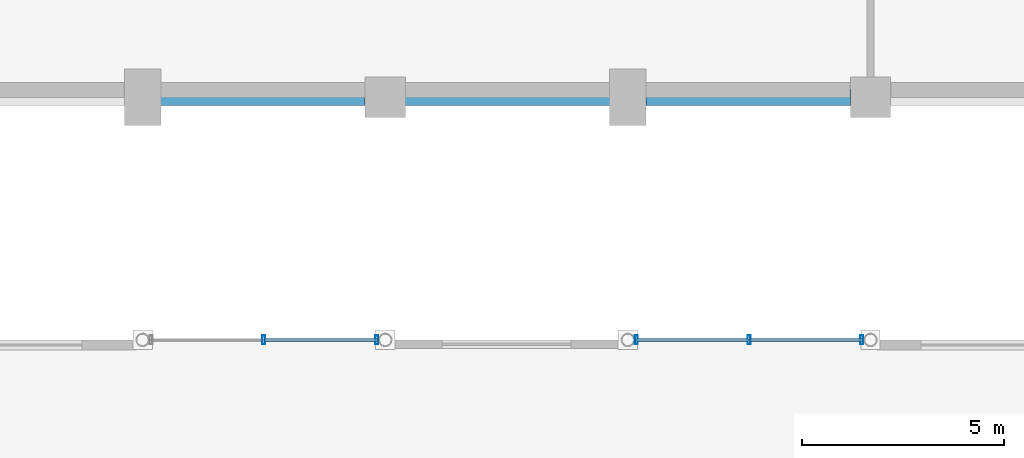
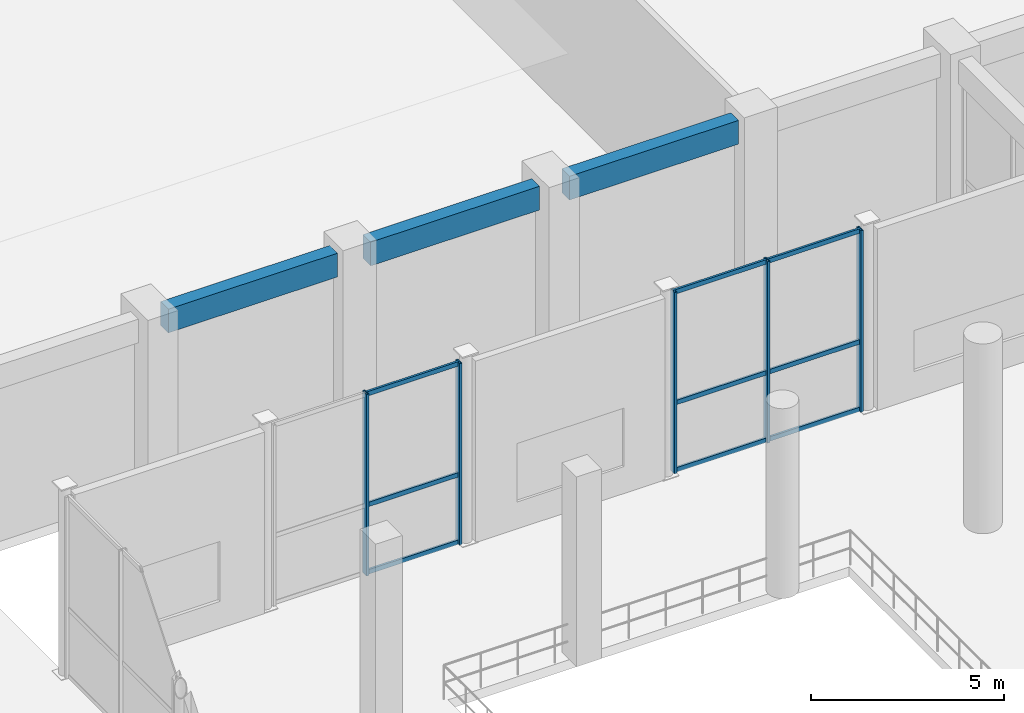
# One storey, part 27 of 106: 14 members, 3 beams, 2 elements without a shape of their own.
"""IFC4 building model written with IfcOpenShell, lengths in metres."""

from ifc_helpers import new_model, si_unit, direction, frame, origin, origin_2d, place, context, subcontext, project, spatial, rectangle, hollow_rectangle, extrude, material, material_profile, profile_set, type_object, element, aggregate, save


model = new_model("IFC4")

# Units and contexts
model_context = context("Model", 3, precision=1e-05, world=origin(), true_north=direction((0.0, 1.0)))
body_context = subcontext(model_context, "Body", "Model", "MODEL_VIEW")
ifc_project = project(units=[si_unit("LENGTHUNIT", "METRE"), si_unit("AREAUNIT", "SQUARE_METRE"), si_unit("VOLUMEUNIT", "CUBIC_METRE"), si_unit("PLANEANGLEUNIT", "RADIAN"), si_unit("MASSUNIT", "GRAM", prefix="KILO"), si_unit("THERMODYNAMICTEMPERATUREUNIT", "KELVIN"), si_unit("POWERUNIT", "WATT")], contexts=[model_context])

# Site, building, storey
site_placement = place(None, origin())
site = spatial("IfcSite", under=ifc_project, at=site_placement, CompositionType="ELEMENT")
building_placement = place(site_placement, origin())
building = spatial("IfcBuilding", under=site, at=building_placement, Name="Phaisarnlok Congress Hotel", CompositionType="ELEMENT")
storey_placement = place(building_placement, origin())
storey = spatial("IfcBuildingStorey", under=building, at=storey_placement, Name="L00", CompositionType="ELEMENT", Elevation=0.0)

# Curtain wall, members
ifc_material_1 = material(Name="Thermally Broken Unitised Aluminium & Low-E Glazing", Category="aluminium")
curtain_wall_type = type_object("IfcCurtainWallType", Name="CW-UNIT-07", PredefinedType="NOTDEFINED", material=ifc_material_1)
curtain_wall_1_placement = place(storey_placement, origin())
curtain_wall_1 = element("IfcCurtainWall", 1, at=curtain_wall_1_placement, inside=storey, type_object=curtain_wall_type, Name="Unitised curtain wall CW-07 (L00)", PredefinedType="NOTDEFINED")
ifc_material_2 = material(Name="Anodised Aluminium Alloy 6063-T6", Category="aluminium")
ifc_material_profile_1 = material_profile(ifc_material_2, hollow_rectangle(XDim=0.074951171875, YDim=0.219970703125, WallThickness=0.0048828125, at=origin_2d()), Name="ALU-M 75x220x5")
ifc_profile_set_1 = profile_set([ifc_material_profile_1], Name="Anodised Aluminium Alloy 6063-T6")
member_type_1 = type_object("IfcMemberType", Name="CWM-220", PredefinedType="MULLION", material=ifc_profile_set_1)
member_1_placement = place(storey_placement, frame((47.7880859375, 36.0, 0.0), z_axis=(0.0, 0.0, 1.0), x_axis=(-1.0, 0.0, 0.0)))
member_1 = element("IfcMember", 2, at=member_1_placement, type_object=member_type_1, Name="Curtain wall mullion CWM-02", PredefinedType="MULLION", context=body_context, shape_type="SweptSolid", body=[
    extrude(hollow_rectangle(XDim=0.074951171875, YDim=0.219970703125, WallThickness=0.0048828125, at=origin_2d()), origin(), (0.0, 0.0, 1.0), 5.739990234375),
])
member_2_placement = place(storey_placement, frame((45.0, 36.0, 0.0), z_axis=(0.0, 0.0, 1.0), x_axis=(-1.0, 0.0, 0.0)))
member_2 = element("IfcMember", 3, at=member_2_placement, type_object=member_type_1, Name="Curtain wall mullion CWM-02", PredefinedType="MULLION", context=body_context, shape_type="SweptSolid", body=[
    extrude(hollow_rectangle(XDim=0.074951171875, YDim=0.219970703125, WallThickness=0.0048828125, at=origin_2d()), origin(), (0.0, 0.0, 1.0), 5.739990234375),
])
member_3_placement = place(storey_placement, frame((42.2119140625, 36.0, 0.0), z_axis=(0.0, 0.0, 1.0), x_axis=(-1.0, 0.0, 0.0)))
member_3 = element("IfcMember", 4, at=member_3_placement, type_object=member_type_1, Name="Curtain wall mullion CWM-02", PredefinedType="MULLION", context=body_context, shape_type="SweptSolid", body=[
    extrude(hollow_rectangle(XDim=0.074951171875, YDim=0.219970703125, WallThickness=0.0048828125, at=origin_2d()), origin(), (0.0, 0.0, 1.0), 5.739990234375),
])

curtain_wall_2_placement = place(storey_placement, origin())
curtain_wall_2 = element("IfcCurtainWall", 5, at=curtain_wall_2_placement, inside=storey, type_object=curtain_wall_type, Name="Unitised curtain wall CW-07 (L00)", PredefinedType="NOTDEFINED")
member_4_placement = place(storey_placement, frame((35.7880859375, 36.0, 0.0), z_axis=(0.0, 0.0, 1.0), x_axis=(-1.0, 0.0, 0.0)))
member_4 = element("IfcMember", 6, at=member_4_placement, type_object=member_type_1, Name="Curtain wall mullion CWM-02", PredefinedType="MULLION", context=body_context, shape_type="SweptSolid", body=[
    extrude(hollow_rectangle(XDim=0.074951171875, YDim=0.219970703125, WallThickness=0.0048828125, at=origin_2d()), origin(), (0.0, 0.0, 1.0), 5.739990234375),
])
member_5_placement = place(storey_placement, frame((33.0, 36.0, 0.0), z_axis=(0.0, 0.0, 1.0), x_axis=(-1.0, 0.0, 0.0)))
member_5 = element("IfcMember", 7, at=member_5_placement, type_object=member_type_1, Name="Curtain wall mullion CWM-02", PredefinedType="MULLION", context=body_context, shape_type="SweptSolid", body=[
    extrude(hollow_rectangle(XDim=0.074951171875, YDim=0.219970703125, WallThickness=0.0048828125, at=origin_2d()), origin(), (0.0, 0.0, 1.0), 5.739990234375),
])

# Member
ifc_material_profile_2 = material_profile(ifc_material_2, hollow_rectangle(XDim=0.06494140625, YDim=0.139892578125, WallThickness=0.00390625, at=origin_2d()), Name="ALU-T 65x140x4")
ifc_profile_set_2 = profile_set([ifc_material_profile_2], Name="Anodised Aluminium Alloy 6063-T6")
member_type_2 = type_object("IfcMemberType", Name="CWT-150", PredefinedType="USERDEFINED", material=ifc_profile_set_2)
member_6_placement = place(storey_placement, frame((47.81298828125, 36.0, 0.050048828125), z_axis=(-1.0, 0.0, 0.0), x_axis=(0.0, -1.0, 0.0)))
member_6 = element("IfcMember", 8, at=member_6_placement, type_object=member_type_2, Name="Curtain wall transom CWT-01", ObjectType="TRANSOM", PredefinedType="USERDEFINED", context=body_context, shape_type="SweptSolid", body=[
    extrude(hollow_rectangle(XDim=0.06494140625, YDim=0.139892578125, WallThickness=0.00390625, at=origin_2d()), origin(), (0.0, 0.0, 1.0), 2.798095703125),
])

member_7_placement = place(storey_placement, frame((47.81298828125, 36.0, 2.18115234375), z_axis=(-1.0, 0.0, 0.0), x_axis=(0.0, -1.0, 0.0)))
member_7 = element("IfcMember", 9, at=member_7_placement, type_object=member_type_2, Name="Curtain wall transom CWT-01", ObjectType="TRANSOM", PredefinedType="USERDEFINED", context=body_context, shape_type="SweptSolid", body=[
    extrude(hollow_rectangle(XDim=0.06494140625, YDim=0.139892578125, WallThickness=0.00390625, at=origin_2d()), origin(), (0.0, 0.0, 1.0), 2.798095703125),
])

member_8_placement = place(storey_placement, frame((47.81298828125, 36.0, 5.68994140625), z_axis=(-1.0, 0.0, 0.0), x_axis=(0.0, -1.0, 0.0)))
member_8 = element("IfcMember", 10, at=member_8_placement, type_object=member_type_2, Name="Curtain wall transom CWT-01", ObjectType="TRANSOM", PredefinedType="USERDEFINED", context=body_context, shape_type="SweptSolid", body=[
    extrude(hollow_rectangle(XDim=0.06494140625, YDim=0.139892578125, WallThickness=0.00390625, at=origin_2d()), origin(), (0.0, 0.0, 1.0), 2.798095703125),
])

member_9_placement = place(storey_placement, frame((44.985107421875, 36.0, 0.050048828125), z_axis=(-1.0, 0.0, 0.0), x_axis=(0.0, -1.0, 0.0)))
member_9 = element("IfcMember", 11, at=member_9_placement, type_object=member_type_2, Name="Curtain wall transom CWT-01", ObjectType="TRANSOM", PredefinedType="USERDEFINED", context=body_context, shape_type="SweptSolid", body=[
    extrude(hollow_rectangle(XDim=0.06494140625, YDim=0.139892578125, WallThickness=0.00390625, at=origin_2d()), origin(), (0.0, 0.0, 1.0), 2.798095703125),
])

member_10_placement = place(storey_placement, frame((44.985107421875, 36.0, 2.18115234375), z_axis=(-1.0, 0.0, 0.0), x_axis=(0.0, -1.0, 0.0)))
member_10 = element("IfcMember", 12, at=member_10_placement, type_object=member_type_2, Name="Curtain wall transom CWT-01", ObjectType="TRANSOM", PredefinedType="USERDEFINED", context=body_context, shape_type="SweptSolid", body=[
    extrude(hollow_rectangle(XDim=0.06494140625, YDim=0.139892578125, WallThickness=0.00390625, at=origin_2d()), origin(), (0.0, 0.0, 1.0), 2.798095703125),
])

member_11_placement = place(storey_placement, frame((44.985107421875, 36.0, 5.68994140625), z_axis=(-1.0, 0.0, 0.0), x_axis=(0.0, -1.0, 0.0)))
member_11 = element("IfcMember", 13, at=member_11_placement, type_object=member_type_2, Name="Curtain wall transom CWT-01", ObjectType="TRANSOM", PredefinedType="USERDEFINED", context=body_context, shape_type="SweptSolid", body=[
    extrude(hollow_rectangle(XDim=0.06494140625, YDim=0.139892578125, WallThickness=0.00390625, at=origin_2d()), origin(), (0.0, 0.0, 1.0), 2.798095703125),
])

aggregate(curtain_wall_1, [member_1, member_2, member_3, member_6, member_7, member_8, member_9, member_10, member_11])

member_12_placement = place(storey_placement, frame((35.81298828125, 36.0, 0.050048828125), z_axis=(-1.0, 0.0, 0.0), x_axis=(0.0, -1.0, 0.0)))
member_12 = element("IfcMember", 14, at=member_12_placement, type_object=member_type_2, Name="Curtain wall transom CWT-01", ObjectType="TRANSOM", PredefinedType="USERDEFINED", context=body_context, shape_type="SweptSolid", body=[
    extrude(hollow_rectangle(XDim=0.06494140625, YDim=0.139892578125, WallThickness=0.00390625, at=origin_2d()), origin(), (0.0, 0.0, 1.0), 2.798095703125),
])

member_13_placement = place(storey_placement, frame((35.81298828125, 36.0, 2.18115234375), z_axis=(-1.0, 0.0, 0.0), x_axis=(0.0, -1.0, 0.0)))
member_13 = element("IfcMember", 15, at=member_13_placement, type_object=member_type_2, Name="Curtain wall transom CWT-01", ObjectType="TRANSOM", PredefinedType="USERDEFINED", context=body_context, shape_type="SweptSolid", body=[
    extrude(hollow_rectangle(XDim=0.06494140625, YDim=0.139892578125, WallThickness=0.00390625, at=origin_2d()), origin(), (0.0, 0.0, 1.0), 2.798095703125),
])

member_14_placement = place(storey_placement, frame((35.81298828125, 36.0, 5.68994140625), z_axis=(-1.0, 0.0, 0.0), x_axis=(0.0, -1.0, 0.0)))
member_14 = element("IfcMember", 16, at=member_14_placement, type_object=member_type_2, Name="Curtain wall transom CWT-01", ObjectType="TRANSOM", PredefinedType="USERDEFINED", context=body_context, shape_type="SweptSolid", body=[
    extrude(hollow_rectangle(XDim=0.06494140625, YDim=0.139892578125, WallThickness=0.00390625, at=origin_2d()), origin(), (0.0, 0.0, 1.0), 2.798095703125),
])

aggregate(curtain_wall_2, [member_4, member_5, member_12, member_13, member_14])

# Beams
ifc_material_3 = material(Name="Concrete C40/50", Category="concrete")
ifc_material_profile_3 = material_profile(ifc_material_3, rectangle(XDim=0.39990234375, YDim=0.75, at=origin_2d()), Name="RC 400x750")
ifc_profile_set_3 = profile_set([ifc_material_profile_3], Name="Concrete C40/50")
beam_type = type_object("IfcBeamType", Name="SP-RC-400x750", PredefinedType="SPANDREL", material=ifc_profile_set_3)
for number, where, z_axis, x_axis, name in (
    (17, (30.445068359375, 42.0, 5.364990234375), (1.0, 0.0, 0.0), (0.0, 1.0, 0.0), "Beam SP-02"),
    (18, (36.4951171875, 42.0, 5.364990234375), (1.0, 0.0, 0.0), (0.0, 1.0, 0.0), "Beam SP-02"),
    (19, (42.445068359375, 42.0, 5.364990234375), (1.0, 0.0, 0.0), (0.0, 1.0, 0.0), "Beam SP-02"),
):
    element("IfcBeam", number, at=place(storey_placement, frame(where, z_axis=z_axis, x_axis=x_axis)), inside=storey, type_object=beam_type, Name=name, PredefinedType="SPANDREL", context=body_context, shape_type="SweptSolid", body=[
        extrude(rectangle(XDim=0.39990234375, YDim=0.75, at=origin_2d()), origin(), (0.0, 0.0, 1.0), 5.059814453125),
    ])

save(model, "model.ifc")
